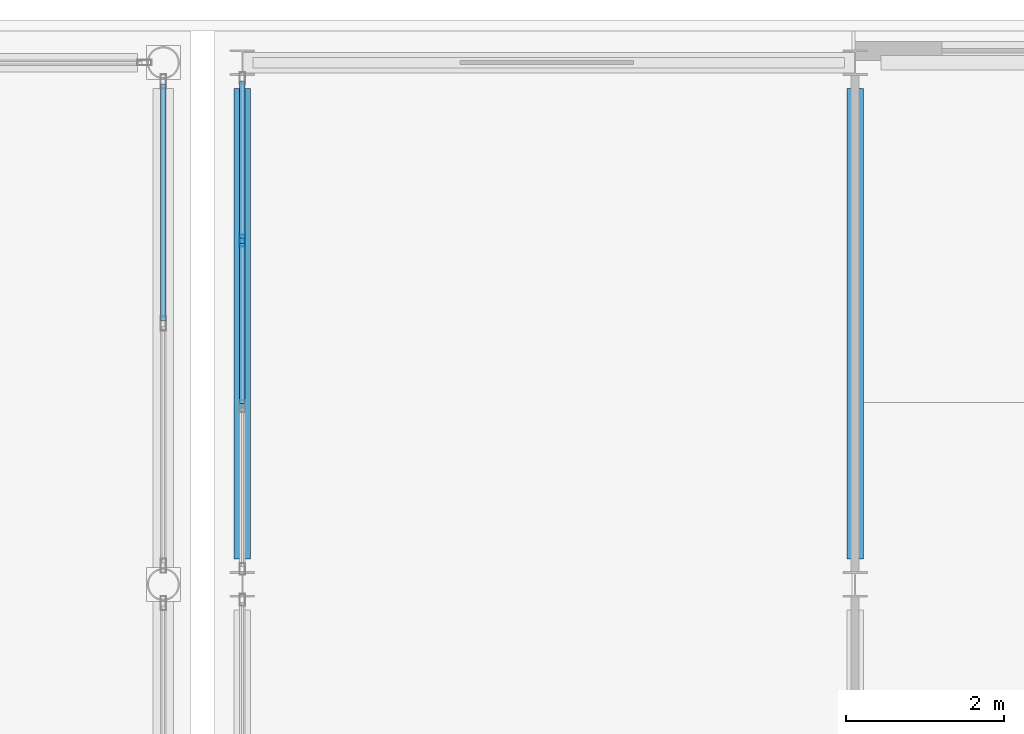
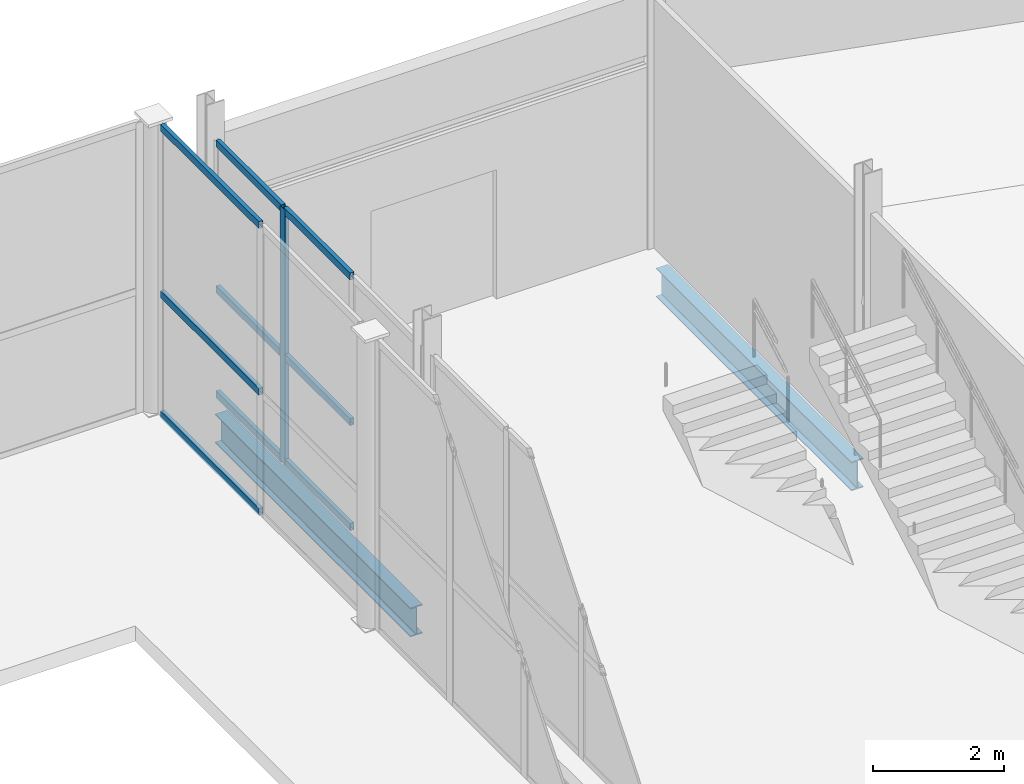
# One storey, part 52 of 83: 10 members, 2 beams, 2 elements without a shape of their own.
"""IFC4 building model written with IfcOpenShell, lengths in metres."""

from ifc_helpers import new_model, si_unit, direction, frame, origin, origin_2d, place, context, subcontext, project, spatial, hollow_rectangle, i_section, extrude, material, layer, layer_set, material_profile, profile_set, type_object, element, aggregate, save


model = new_model("IFC4")

# Units and contexts
model_context = context("Model", 3, precision=1e-05, world=origin(), true_north=direction((0.0, 1.0)))
body_context = subcontext(model_context, "Body", "Model", "MODEL_VIEW")
ifc_project = project(units=[si_unit("LENGTHUNIT", "METRE"), si_unit("AREAUNIT", "SQUARE_METRE"), si_unit("VOLUMEUNIT", "CUBIC_METRE"), si_unit("PLANEANGLEUNIT", "RADIAN"), si_unit("MASSUNIT", "GRAM", prefix="KILO")], contexts=[model_context])

# Site, building, storey
site_placement = place(None, origin())
site = spatial("IfcSite", under=ifc_project, at=site_placement, CompositionType="ELEMENT")
building_placement = place(site_placement, origin())
building = spatial("IfcBuilding", under=site, at=building_placement, Name="Quillay Park Conservatory", CompositionType="ELEMENT")
storey_placement = place(building_placement, origin())
storey = spatial("IfcBuildingStorey", under=building, at=storey_placement, Name="L00", CompositionType="ELEMENT", Elevation=0.0)

# Curtain wall, member
ifc_material_1 = material(Name="Thermally Broken Anodised Aluminium 6063-T6", Category="aluminium")
ifc_layer_1 = layer(ifc_material_1, 0.1650390625)
ifc_layer_set_1 = layer_set([ifc_layer_1], Name="UNITISED CURTAIN WALL PODIUM (Thermally Broken Anodised Aluminium 6063-T6)")
curtain_wall_type_1 = type_object("IfcCurtainWallType", Name="UNITISED CURTAIN WALL PODIUM", PredefinedType="USERDEFINED", material=ifc_layer_set_1)
curtain_wall_1_placement = place(storey_placement, origin())
curtain_wall_1 = element("IfcCurtainWall", 1, at=curtain_wall_1_placement, inside=storey, type_object=curtain_wall_type_1, Name="L00 Unitised Curtain Wall 227", ObjectType="UNITISED CURTAIN WALL", PredefinedType="USERDEFINED")
ifc_material_2 = material(Name="Thermally Broken Anodised Aluminium 6063-T6", Category="aluminium")
ifc_material_profile_1 = material_profile(ifc_material_2, hollow_rectangle(XDim=0.070068359375, YDim=0.14990234375, WallThickness=0.00341796875, at=origin_2d()), Name="AL70x150x3.5")
ifc_profile_set_1 = profile_set([ifc_material_profile_1], Name="Thermally Broken Anodised Aluminium 6063-T6")
member_type_1 = type_object("IfcMemberType", Name="CURTAIN WALL MULLION 70 X150", PredefinedType="MULLION", material=ifc_profile_set_1)
member_1_placement = place(storey_placement, frame((115.85009765625, 111.146728515625, 0.0), z_axis=(0.0, 0.0, 1.0), x_axis=(-1.0, 0.0, 0.0)))
member_1 = element("IfcMember", 2, at=member_1_placement, type_object=member_type_1, Name="CW-P1 mullion 3", PredefinedType="MULLION", context=body_context, shape_type="SweptSolid", body=[
    extrude(hollow_rectangle(XDim=0.070068359375, YDim=0.14990234375, WallThickness=0.00341796875, at=origin_2d()), origin(), (0.0, 0.0, 1.0), 4.72900390625),
])

# Curtain wall, members
ifc_material_3 = material(Name="Thermally Broken Anodised Aluminium 6063-T6", Category="aluminium")
ifc_layer_2 = layer(ifc_material_3, 0.219970703125)
ifc_layer_set_2 = layer_set([ifc_layer_2], Name="UNITISED CURTAIN WALL CONSERVATORY (Thermally Broken Anodised Aluminium 6063-T6)")
curtain_wall_type_2 = type_object("IfcCurtainWallType", Name="UNITISED CURTAIN WALL CONSERVATORY", PredefinedType="USERDEFINED", material=ifc_layer_set_2)
curtain_wall_2_placement = place(storey_placement, origin())
curtain_wall_2 = element("IfcCurtainWall", 3, at=curtain_wall_2_placement, inside=storey, type_object=curtain_wall_type_2, Name="L00 Unitised Curtain Wall 173", ObjectType="UNITISED CURTAIN WALL", PredefinedType="USERDEFINED")
ifc_material_4 = material(Name="Thermally Broken Anodised Aluminium 6063-T6", Category="aluminium")
ifc_material_profile_2 = material_profile(ifc_material_4, hollow_rectangle(XDim=0.070068359375, YDim=0.1298828125, WallThickness=0.003173828125, at=origin_2d()), Name="AL70x130x3.2")
ifc_profile_set_2 = profile_set([ifc_material_profile_2], Name="Thermally Broken Anodised Aluminium 6063-T6")
member_type_2 = type_object("IfcMemberType", Name="CURTAIN WALL TRANSOM 70 X130", PredefinedType="USERDEFINED", material=ifc_profile_set_2)
member_2_placement = place(storey_placement, frame((114.85009765625, 113.1279296875, 0.034912109375), z_axis=(0.0, -1.0, 0.0), x_axis=(1.0, 0.0, 0.0)))
member_2 = element("IfcMember", 4, at=member_2_placement, type_object=member_type_2, Name="CW-C1 transom 1.1", ObjectType="TRANSOM", PredefinedType="USERDEFINED", context=body_context, shape_type="SweptSolid", body=[
    extrude(hollow_rectangle(XDim=0.070068359375, YDim=0.1298828125, WallThickness=0.003173828125, at=origin_2d()), origin(), (0.0, 0.0, 1.0), 2.992919921875),
])
member_3_placement = place(storey_placement, frame((114.85009765625, 113.1279296875, 2.26806640625), z_axis=(0.0, -1.0, 0.0), x_axis=(1.0, 0.0, 0.0)))
member_3 = element("IfcMember", 5, at=member_3_placement, type_object=member_type_2, Name="CW-C1 transom 1.2", ObjectType="TRANSOM", PredefinedType="USERDEFINED", context=body_context, shape_type="SweptSolid", body=[
    extrude(hollow_rectangle(XDim=0.070068359375, YDim=0.1298828125, WallThickness=0.003173828125, at=origin_2d()), origin(), (0.0, 0.0, 1.0), 2.992919921875),
])
member_4_placement = place(storey_placement, frame((114.85009765625, 113.1279296875, 5.364990234375), z_axis=(0.0, -1.0, 0.0), x_axis=(1.0, 0.0, 0.0)))
member_4 = element("IfcMember", 6, at=member_4_placement, type_object=member_type_2, Name="CW-C1 transom 1.3", ObjectType="TRANSOM", PredefinedType="USERDEFINED", context=body_context, shape_type="SweptSolid", body=[
    extrude(hollow_rectangle(XDim=0.070068359375, YDim=0.1298828125, WallThickness=0.003173828125, at=origin_2d()), origin(), (0.0, 0.0, 1.0), 2.992919921875),
])
aggregate(curtain_wall_2, [member_2, member_3, member_4])

# Member
member_5_placement = place(storey_placement, frame((115.85009765625, 109.08837890625, 0.034912109375), z_axis=(0.0, 1.0, 0.0), x_axis=(-1.0, 0.0, 0.0)))
member_5 = element("IfcMember", 7, at=member_5_placement, type_object=member_type_2, Name="CW-P1 transom 2.1", ObjectType="TRANSOM", PredefinedType="USERDEFINED", context=body_context, shape_type="SweptSolid", body=[
    extrude(hollow_rectangle(XDim=0.070068359375, YDim=0.1298828125, WallThickness=0.003173828125, at=origin_2d()), origin(), (0.0, 0.0, 1.0), 2.023193359375),
])

member_6_placement = place(storey_placement, frame((115.85009765625, 109.08837890625, 1.986083984375), z_axis=(0.0, 1.0, 0.0), x_axis=(-1.0, 0.0, 0.0)))
member_6 = element("IfcMember", 8, at=member_6_placement, type_object=member_type_2, Name="CW-P1 transom 2.2", ObjectType="TRANSOM", PredefinedType="USERDEFINED", context=body_context, shape_type="SweptSolid", body=[
    extrude(hollow_rectangle(XDim=0.070068359375, YDim=0.1298828125, WallThickness=0.003173828125, at=origin_2d()), origin(), (0.0, 0.0, 1.0), 2.023193359375),
])

member_7_placement = place(storey_placement, frame((115.85009765625, 109.08837890625, 4.694091796875), z_axis=(0.0, 1.0, 0.0), x_axis=(-1.0, 0.0, 0.0)))
member_7 = element("IfcMember", 9, at=member_7_placement, type_object=member_type_2, Name="CW-P1 transom 2.3", ObjectType="TRANSOM", PredefinedType="USERDEFINED", context=body_context, shape_type="SweptSolid", body=[
    extrude(hollow_rectangle(XDim=0.070068359375, YDim=0.1298828125, WallThickness=0.003173828125, at=origin_2d()), origin(), (0.0, 0.0, 1.0), 2.023193359375),
])

member_8_placement = place(storey_placement, frame((115.85009765625, 111.181640625, 0.034912109375), z_axis=(0.0, 1.0, 0.0), x_axis=(-1.0, 0.0, 0.0)))
member_8 = element("IfcMember", 10, at=member_8_placement, type_object=member_type_2, Name="CW-P1 transom 3.1", ObjectType="TRANSOM", PredefinedType="USERDEFINED", context=body_context, shape_type="SweptSolid", body=[
    extrude(hollow_rectangle(XDim=0.070068359375, YDim=0.1298828125, WallThickness=0.003173828125, at=origin_2d()), origin(), (0.0, 0.0, 1.0), 1.98828125),
])

member_9_placement = place(storey_placement, frame((115.85009765625, 111.181640625, 1.986083984375), z_axis=(0.0, 1.0, 0.0), x_axis=(-1.0, 0.0, 0.0)))
member_9 = element("IfcMember", 11, at=member_9_placement, type_object=member_type_2, Name="CW-P1 transom 3.2", ObjectType="TRANSOM", PredefinedType="USERDEFINED", context=body_context, shape_type="SweptSolid", body=[
    extrude(hollow_rectangle(XDim=0.070068359375, YDim=0.1298828125, WallThickness=0.003173828125, at=origin_2d()), origin(), (0.0, 0.0, 1.0), 1.98828125),
])

member_10_placement = place(storey_placement, frame((115.85009765625, 111.181640625, 4.694091796875), z_axis=(0.0, 1.0, 0.0), x_axis=(-1.0, 0.0, 0.0)))
member_10 = element("IfcMember", 12, at=member_10_placement, type_object=member_type_2, Name="CW-P1 transom 3.3", ObjectType="TRANSOM", PredefinedType="USERDEFINED", context=body_context, shape_type="SweptSolid", body=[
    extrude(hollow_rectangle(XDim=0.070068359375, YDim=0.1298828125, WallThickness=0.003173828125, at=origin_2d()), origin(), (0.0, 0.0, 1.0), 1.98828125),
])

aggregate(curtain_wall_1, [member_1, member_5, member_6, member_7, member_8, member_9, member_10])

# Beams
ifc_material_5 = material(Name="Steel ASTM A992 Grade 50", Category="steel")
ifc_material_profile_3 = material_profile(ifc_material_5, i_section(OverallWidth=0.2109375, OverallDepth=0.5390625, WebThickness=0.01171875, FlangeThickness=0.018798828125, FilletRadius=0.013916015625, at=origin_2d()), Name="W530x109")
ifc_profile_set_3 = profile_set([ifc_material_profile_3], Name="Steel ASTM A992 Grade 50")
beam_type = type_object("IfcBeamType", Name="PRIMARY FLOOR GIRDER W530 X109", PredefinedType="BEAM", material=ifc_profile_set_3)
for number, where, z_axis, x_axis, name in (
    (13, (115.85009765625, 107.125, -0.51953125), (0.0, 1.0, 0.0), (-1.0, 0.0, 0.0), "L00 beam BM-V2Y-1683"),
    (14, (123.60009765625, 107.125, -0.51953125), (0.0, 1.0, 0.0), (-1.0, 0.0, 0.0), "L00 beam BM-V2Y-1687"),
):
    element("IfcBeam", number, at=place(storey_placement, frame(where, z_axis=z_axis, x_axis=x_axis)), inside=storey, type_object=beam_type, Name=name, PredefinedType="BEAM", context=body_context, shape_type="SweptSolid", body=[
        extrude(i_section(OverallWidth=0.2109375, OverallDepth=0.5390625, WebThickness=0.01171875, FlangeThickness=0.018798828125, FilletRadius=0.013916015625, at=origin_2d()), origin(), (0.0, 0.0, 1.0), 5.949951171875),
    ])

save(model, "model.ifc")
